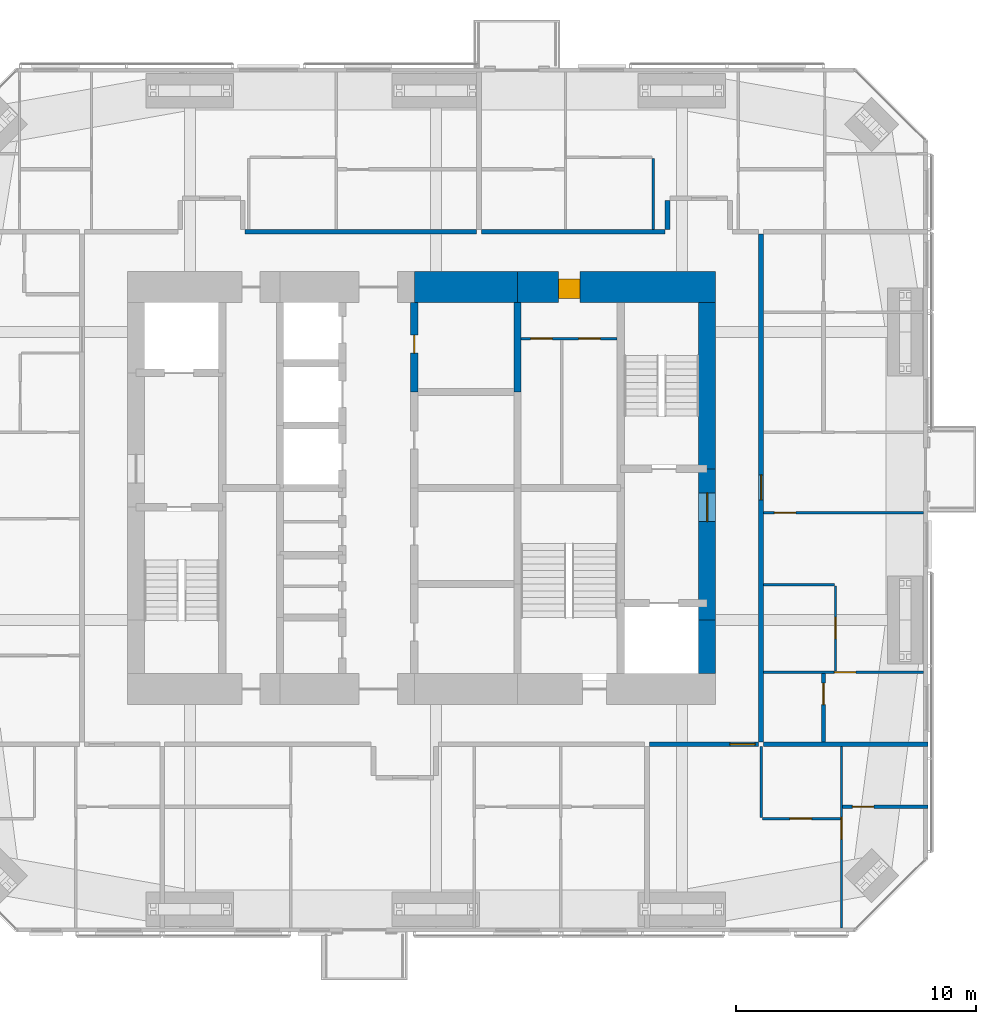
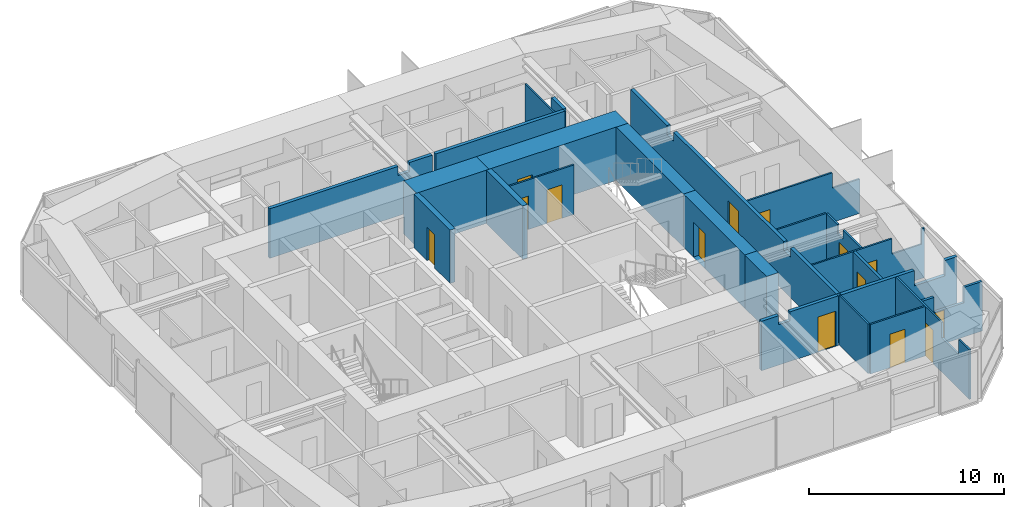
# One storey, part 19 of 23: 24 walls, 14 doors, 14 openings.
"""IFC4 building model written with IfcOpenShell, lengths in metres."""

from ifc_helpers import new_model, si_unit, direction, frame, frame_2d, origin, place, context, subcontext, project, spatial, polyline, rectangle, outline, extrude, material, layer, layer_set, constituent, constituent_set, type_object, element, fill, save


model = new_model("IFC4")

# Units and contexts
model_context = context("Model", 3, precision=1e-05, world=origin(), true_north=direction((0.0, 1.0)))
body_context = subcontext(model_context, "Body", "Model", "MODEL_VIEW")
ifc_project = project(units=[si_unit("LENGTHUNIT", "METRE"), si_unit("AREAUNIT", "SQUARE_METRE"), si_unit("VOLUMEUNIT", "CUBIC_METRE"), si_unit("PLANEANGLEUNIT", "RADIAN"), si_unit("MASSUNIT", "GRAM", prefix="KILO")], contexts=[model_context])

# Site, building, storey
site_placement = place(None, origin())
site = spatial("IfcSite", under=ifc_project, at=site_placement, CompositionType="ELEMENT")
building_placement = place(site_placement, origin())
building = spatial("IfcBuilding", under=site, at=building_placement, Name="Jalousie Tower", CompositionType="ELEMENT")
storey_placement = place(building_placement, frame((0.0, 0.0, 194.550048828125)))
storey = spatial("IfcBuildingStorey", under=building, at=storey_placement, Name="L53", CompositionType="ELEMENT", Elevation=194.550048828125)

# Wall, opening, door
ifc_material_1 = material(Name="Concrete block ASTM C90", Category="concrete")
ifc_constituent_1 = constituent(ifc_material_1, Name="Body")
ifc_material_2 = material(Name="Render")
ifc_constituent_2 = constituent(ifc_material_2, Name="Finish")
ifc_constituent_set_1 = constituent_set(constituents=[ifc_constituent_1, ifc_constituent_2])
wall_type_1 = type_object("IfcWallType", Name="BATHROOM WALL 150", PredefinedType="PLUMBINGWALL", material=ifc_constituent_set_1)
wall_1_placement = place(storey_placement, frame((49.449951171875, 5.22509765625, 0.0), z_axis=(0.0, 0.0, 1.0), x_axis=(1.0, 0.0, 0.0)))
wall_1 = element("IfcWall", 1, at=wall_1_placement, inside=storey, type_object=wall_type_1, Name="Bathroom Wall 150 L53", PredefinedType="PLUMBINGWALL", context=body_context, shape_type="SweptSolid", body=[
    extrude(outline(polyline([(0.0, 0.0), (3.550048828125, 0.0), (3.550048828125, 3.10986328125), (2.4716796875, 3.10986328125), (2.4716796875, 2.14990234375), (0.6865234375, 2.14990234375), (0.6865234375, 3.10986328125), (0.0, 3.10986328125), (0.0, 0.0)])), frame((0.0, 0.074951171875, 0.0), z_axis=(0.0, -1.0, 0.0), x_axis=(1.0, 0.0, 0.0)), (0.0, 0.0, 1.0), 0.14990234375),
])
opening_1_placement = place(wall_1_placement, frame((0.39990234375, 0.0, 0.0)))
opening_1 = element("IfcOpeningElement", 2, at=opening_1_placement, cuts=wall_1, Name="Opening D3", PredefinedType="OPENING", context=body_context, shape_type="SweptSolid", body=[
    extrude(rectangle(XDim=0.89990234375, YDim=2.10009765625, at=frame_2d((0.449951171875, 1.050048828125))), frame((0.0, 0.0849609375, 0.0), z_axis=(0.0, -1.0, 0.0), x_axis=(1.0, 0.0, 0.0)), (0.0, 0.0, 1.0), 0.169921875),
])
ifc_material_3 = material(Name="Timber door", Category="wood")
door_type_1 = type_object("IfcDoorType", Name="BATHROOM DOOR 900", OperationType="SINGLE_SWING_LEFT", PredefinedType="DOOR", material=ifc_material_3)
door_1_placement = place(opening_1_placement, origin())
door_1 = element("IfcDoor", 3, at=door_1_placement, inside=storey, type_object=door_type_1, Name="Apartment 5303 bedroom 1 bathroom door", OperationType="SINGLE_SWING_LEFT", OverallHeight=2.10009765625, OverallWidth=0.89990234375, PredefinedType="DOOR", context=body_context, shape_type="SweptSolid", body=[
    extrude(rectangle(XDim=0.89990234375, YDim=2.10009765625, at=frame_2d((0.449951171875, 1.050048828125))), frame((0.0, 0.02490234375, 0.0), z_axis=(0.0, -1.0, 0.0), x_axis=(1.0, 0.0, 0.0)), (0.0, 0.0, 1.0), 0.050048828125),
])
fill(opening_1, door_1)

wall_2_placement = place(storey_placement, frame((48.64990234375, 7.925048828125, 0.0), z_axis=(0.0, 0.0, 1.0), x_axis=(0.0, 1.0, 0.0)))
wall_2 = element("IfcWall", 4, at=wall_2_placement, inside=storey, type_object=wall_type_1, Name="Bathroom Wall 150 L53", PredefinedType="PLUMBINGWALL", context=body_context, shape_type="SweptSolid", body=[
    extrude(rectangle(XDim=2.849853515625, YDim=0.14990234375, at=frame_2d((1.4248046875, 0.0))), origin(), (0.0, 0.0, 1.0), 3.10986328125),
])
opening_2_placement = place(wall_2_placement, frame((1.550048828125, 0.0, 0.0)))
opening_2 = element("IfcOpeningElement", 5, at=opening_2_placement, cuts=wall_2, Name="Opening D3", PredefinedType="OPENING", context=body_context, shape_type="SweptSolid", body=[
    extrude(rectangle(XDim=0.89990234375, YDim=2.10009765625, at=frame_2d((0.449951171875, 1.050048828125))), frame((0.0, 0.0849609375, 0.0), z_axis=(0.0, -1.0, 0.0), x_axis=(1.0, 0.0, 0.0)), (0.0, 0.0, 1.0), 0.169921875),
])
door_2_placement = place(opening_2_placement, origin())
door_2 = element("IfcDoor", 6, at=door_2_placement, inside=storey, type_object=door_type_1, Name="Apartment 5307 bedroom 1 bathroom door", OperationType="SINGLE_SWING_RIGHT", OverallHeight=2.10009765625, OverallWidth=0.89990234375, PredefinedType="DOOR", context=body_context, shape_type="SweptSolid", body=[
    extrude(rectangle(XDim=0.89990234375, YDim=2.10009765625, at=frame_2d((0.449951171875, 1.050048828125))), frame((0.0, 0.02490234375, 0.0), z_axis=(0.0, -1.0, 0.0), x_axis=(1.0, 0.0, 0.0)), (0.0, 0.0, 1.0), 0.050048828125),
])
fill(opening_2, door_2)

ifc_material_4 = material(Name="Concrete f'c 120 MPa", Category="concrete")
ifc_layer_1 = layer(ifc_material_4, 1.300048828125)
ifc_layer_set_1 = layer_set([ifc_layer_1], Name="Concrete f'c 120 MPa")
wall_type_2 = type_object("IfcWallType", Name="CORE WALL 1300", PredefinedType="SHEAR", material=ifc_layer_set_1)
wall_3_placement = place(storey_placement, frame((44.14990234375, 26.875, 0.0), z_axis=(0.0, 0.0, 1.0), x_axis=(-1.0, 0.0, 0.0)))
wall_3 = element("IfcWall", 7, at=wall_3_placement, inside=storey, type_object=wall_type_2, Name="Core wall NA L53", PredefinedType="SHEAR", context=body_context, shape_type="SweptSolid", body=[
    extrude(rectangle(XDim=8.25, YDim=1.300048828125, at=frame_2d((4.125, 0.0))), origin(), (0.0, 0.0, 1.0), 3.349853515625),
])
opening_3_placement = place(wall_3_placement, frame((5.64990234375, 0.0, 0.0)))
opening_3 = element("IfcOpeningElement", 8, at=opening_3_placement, cuts=wall_3, Name="Opening D25", PredefinedType="OPENING", context=body_context, shape_type="SweptSolid", body=[
    extrude(rectangle(XDim=0.89990234375, YDim=2.10009765625, at=frame_2d((0.449951171875, 1.050048828125))), frame((0.0, 0.659912109375, 0.0), z_axis=(0.0, -1.0, 0.0), x_axis=(1.0, 0.0, 0.0)), (0.0, 0.0, 1.0), 1.320068359375),
])
ifc_material_5 = material(Name="Steel fire door", Category="steel")
door_type_2 = type_object("IfcDoorType", Name="SERVICE LOBBY DOOR 900", OperationType="SINGLE_SWING_LEFT", PredefinedType="DOOR", material=ifc_material_5)
door_3_placement = place(opening_3_placement, origin())
door_3 = element("IfcDoor", 9, at=door_3_placement, inside=storey, type_object=door_type_2, Name="Service lobby door", OperationType="SINGLE_SWING_RIGHT", OverallHeight=2.10009765625, OverallWidth=0.89990234375, PredefinedType="DOOR", context=body_context, shape_type="SweptSolid", body=[
    extrude(rectangle(XDim=0.89990234375, YDim=2.10009765625, at=frame_2d((0.449951171875, 1.050048828125))), frame((0.0, 0.47021484375, 0.0), z_axis=(0.0, -1.0, 0.0), x_axis=(1.0, 0.0, 0.0)), (0.0, 0.0, 1.0), 0.800048828125),
])
fill(opening_3, door_3)

# Wall
wall_4_placement = place(storey_placement, frame((35.89990234375, 26.875, 0.0), z_axis=(0.0, 0.0, 1.0), x_axis=(-1.0, 0.0, 0.0)))
element("IfcWall", 10, at=wall_4_placement, inside=storey, type_object=wall_type_2, Name="Core wall NB L53", PredefinedType="SHEAR", context=body_context, shape_type="SweptSolid", body=[
    extrude(rectangle(XDim=4.2998046875, YDim=1.300048828125, at=frame_2d((2.14990234375, 0.0))), origin(), (0.0, 0.0, 1.0), 3.349853515625),
])

# Wall, opening, door
ifc_material_6 = material(Name="Concrete f'c 120 MPa", Category="concrete")
ifc_layer_2 = layer(ifc_material_6, 0.300048828125)
ifc_layer_set_2 = layer_set([ifc_layer_2], Name="Concrete f'c 120 MPa")
wall_type_3 = type_object("IfcWallType", Name="CORE WALL 300", PredefinedType="SHEAR", material=ifc_layer_set_2)
wall_5_placement = place(storey_placement, frame((31.60009765625, 22.5, 0.0), z_axis=(0.0, 0.0, 1.0), x_axis=(0.0, 1.0, 0.0)))
wall_5 = element("IfcWall", 11, at=wall_5_placement, inside=storey, type_object=wall_type_3, Name="Core wall X31.6D L53", PredefinedType="SHEAR", context=body_context, shape_type="SweptSolid", body=[
    extrude(rectangle(XDim=3.72509765625, YDim=0.300048828125, at=frame_2d((1.862548828125, 0.0))), origin(), (0.0, 0.0, 1.0), 3.349853515625),
])
opening_4_placement = place(wall_5_placement, frame((1.625, 0.0, 0.0)))
opening_4 = element("IfcOpeningElement", 12, at=opening_4_placement, cuts=wall_5, Name="Opening D16", PredefinedType="OPENING", context=body_context, shape_type="SweptSolid", body=[
    extrude(rectangle(XDim=0.75, YDim=2.10009765625, at=frame_2d((0.375, 1.050048828125))), frame((0.0, 0.159912109375, 0.0), z_axis=(0.0, -1.0, 0.0), x_axis=(1.0, 0.0, 0.0)), (0.0, 0.0, 1.0), 0.320068359375),
])
ifc_material_7 = material(Name="Steel fire door", Category="steel")
door_type_3 = type_object("IfcDoorType", Name="RISER DOOR 750", OperationType="SINGLE_SWING_LEFT", PredefinedType="DOOR", material=ifc_material_7)
door_4_placement = place(opening_4_placement, frame((0.75, 0.0, 0.0), z_axis=(0.0, 0.0, 1.0), x_axis=(-1.0, 0.0, 0.0)))
door_4 = element("IfcDoor", 13, at=door_4_placement, inside=storey, type_object=door_type_3, Name="Water Services Room door", OperationType="SINGLE_SWING_LEFT", OverallHeight=2.10009765625, OverallWidth=0.75, PredefinedType="DOOR", context=body_context, shape_type="SweptSolid", body=[
    extrude(rectangle(XDim=0.75, YDim=2.10009765625, at=frame_2d((0.375, 1.050048828125))), frame((0.0, 0.02490234375, 0.0), z_axis=(0.0, -1.0, 0.0), x_axis=(1.0, 0.0, 0.0)), (0.0, 0.0, 1.0), 0.050048828125),
])
fill(opening_4, door_4)

# Walls
wall_6_placement = place(storey_placement, frame((35.89990234375, 22.5, 0.0), z_axis=(0.0, 0.0, 1.0), x_axis=(0.0, 1.0, 0.0)))
element("IfcWall", 14, at=wall_6_placement, inside=storey, type_object=wall_type_3, Name="Core wall X35.9D L53", PredefinedType="SHEAR", context=body_context, shape_type="SweptSolid", body=[
    extrude(rectangle(XDim=3.72509765625, YDim=0.300048828125, at=frame_2d((1.862548828125, 0.0))), origin(), (0.0, 0.0, 1.0), 3.349853515625),
])
ifc_material_8 = material(Name="Concrete f'c 120 MPa", Category="concrete")
ifc_layer_3 = layer(ifc_material_8, 0.699951171875)
ifc_layer_set_3 = layer_set([ifc_layer_3], Name="Concrete f'c 120 MPa")
wall_type_4 = type_object("IfcWallType", Name="CORE WALL 700", PredefinedType="SHEAR", material=ifc_layer_set_3)
wall_7_placement = place(storey_placement, frame((43.800048828125, 10.77490234375, 0.0), z_axis=(0.0, 0.0, 1.0), x_axis=(0.0, 1.0, 0.0)))
element("IfcWall", 15, at=wall_7_placement, inside=storey, type_object=wall_type_4, Name="Core wall EA L53", PredefinedType="SHEAR", context=body_context, shape_type="SweptSolid", body=[
    extrude(rectangle(XDim=2.22509765625, YDim=0.699951171875, at=frame_2d((1.112548828125, 0.0))), origin(), (0.0, 0.0, 1.0), 3.349853515625),
])

# Wall, opening, door
wall_8_placement = place(storey_placement, frame((43.800048828125, 13.0, 0.0), z_axis=(0.0, 0.0, 1.0), x_axis=(0.0, 1.0, 0.0)))
wall_8 = element("IfcWall", 16, at=wall_8_placement, inside=storey, type_object=wall_type_4, Name="Core wall EB L53", PredefinedType="SHEAR", context=body_context, shape_type="SweptSolid", body=[
    extrude(rectangle(XDim=6.300048828125, YDim=0.699951171875, at=frame_2d((3.14990234375, 0.0))), origin(), (0.0, 0.0, 1.0), 3.349853515625),
])
opening_5_placement = place(wall_8_placement, frame((4.10009765625, 0.0, 0.0)))
opening_5 = element("IfcOpeningElement", 17, at=opening_5_placement, cuts=wall_8, Name="Opening D11", PredefinedType="OPENING", context=body_context, shape_type="SweptSolid", body=[
    extrude(rectangle(XDim=1.199951171875, YDim=2.199951171875, at=frame_2d((0.60009765625, 1.10009765625))), frame((0.0, 0.35986328125, 0.0), z_axis=(0.0, -1.0, 0.0), x_axis=(1.0, 0.0, 0.0)), (0.0, 0.0, 1.0), 0.719970703125),
])
ifc_material_9 = material(Name="Steel fire door", Category="steel")
door_type_4 = type_object("IfcDoorType", Name="FIRE DOOR 1200", OperationType="SINGLE_SWING_LEFT", PredefinedType="DOOR", material=ifc_material_9)
door_5_placement = place(opening_5_placement, origin())
door_5 = element("IfcDoor", 18, at=door_5_placement, inside=storey, type_object=door_type_4, Name="Fire-fighting lobby B door", OperationType="SINGLE_SWING_RIGHT", OverallHeight=2.199951171875, OverallWidth=1.199951171875, PredefinedType="DOOR", context=body_context, shape_type="SweptSolid", body=[
    extrude(rectangle(XDim=1.199951171875, YDim=2.199951171875, at=frame_2d((0.60009765625, 1.10009765625))), frame((0.0, 0.02490234375, 0.0), z_axis=(0.0, -1.0, 0.0), x_axis=(1.0, 0.0, 0.0)), (0.0, 0.0, 1.0), 0.050048828125),
])
fill(opening_5, door_5)

# Wall
wall_9_placement = place(storey_placement, frame((43.800048828125, 19.300048828125, 0.0), z_axis=(0.0, 0.0, 1.0), x_axis=(0.0, 1.0, 0.0)))
element("IfcWall", 19, at=wall_9_placement, inside=storey, type_object=wall_type_4, Name="Core wall EC L53", PredefinedType="SHEAR", context=body_context, shape_type="SweptSolid", body=[
    extrude(rectangle(XDim=6.925048828125, YDim=0.699951171875, at=frame_2d((3.46240234375, 0.0))), origin(), (0.0, 0.0, 1.0), 3.349853515625),
])

# Wall, opening, door
ifc_material_10 = material(Name="Concrete block ASTM C90", Category="concrete")
ifc_constituent_3 = constituent(ifc_material_10, Name="Body")
ifc_material_11 = material(Name="Render")
ifc_constituent_4 = constituent(ifc_material_11, Name="Finish")
ifc_constituent_set_2 = constituent_set(constituents=[ifc_constituent_3, ifc_constituent_4])
wall_type_5 = type_object("IfcWallType", Name="CORRIDOR WALL 200", PredefinedType="PARTITIONING", material=ifc_constituent_set_2)
wall_10_placement = place(storey_placement, frame((41.39990234375, 7.824951171875, 0.0), z_axis=(0.0, 0.0, 1.0), x_axis=(1.0, 0.0, 0.0)))
wall_10 = element("IfcWall", 20, at=wall_10_placement, inside=storey, type_object=wall_type_5, Name="Corridor Wall 200 L53", PredefinedType="PARTITIONING", context=body_context, shape_type="SweptSolid", body=[
    extrude(outline(polyline([(0.0, 0.0), (4.550048828125, 0.0), (4.550048828125, 3.10986328125), (1.6875, 3.10986328125), (1.6875, 2.541015625), (1.0126953125, 2.541015625), (1.0126953125, 3.10986328125), (0.0, 3.10986328125), (0.0, 0.0)])), frame((0.0, 0.10009765625, 0.0), z_axis=(0.0, -1.0, 0.0), x_axis=(1.0, 0.0, 0.0)), (0.0, 0.0, 1.0), 0.199951171875),
])
opening_6_placement = place(wall_10_placement, frame((3.35009765625, 0.0, 0.0)))
opening_6 = element("IfcOpeningElement", 21, at=opening_6_placement, cuts=wall_10, Name="Opening D1", PredefinedType="OPENING", context=body_context, shape_type="SweptSolid", body=[
    extrude(rectangle(XDim=1.050048828125, YDim=2.199951171875, at=frame_2d((0.52490234375, 1.10009765625))), frame((0.0, 0.10986328125, 0.0), z_axis=(0.0, -1.0, 0.0), x_axis=(1.0, 0.0, 0.0)), (0.0, 0.0, 1.0), 0.219970703125),
])
ifc_material_12 = material(Name="Timber fire door", Category="wood")
door_type_5 = type_object("IfcDoorType", Name="APARTMENT ENTRANCE DOOR 1050", OperationType="SINGLE_SWING_LEFT", PredefinedType="DOOR", material=ifc_material_12)
door_6_placement = place(opening_6_placement, frame((1.050048828125, 0.0, 0.0), z_axis=(0.0, 0.0, 1.0), x_axis=(-1.0, 0.0, 0.0)))
door_6 = element("IfcDoor", 22, at=door_6_placement, inside=storey, type_object=door_type_5, Name="Apartment 5303 entrance", OperationType="SINGLE_SWING_LEFT", OverallHeight=2.199951171875, OverallWidth=1.050048828125, PredefinedType="DOOR", context=body_context, shape_type="SweptSolid", body=[
    extrude(rectangle(XDim=1.050048828125, YDim=2.199951171875, at=frame_2d((0.52490234375, 1.10009765625))), frame((0.0, 0.02490234375, 0.0), z_axis=(0.0, -1.0, 0.0), x_axis=(1.0, 0.0, 0.0)), (0.0, 0.0, 1.0), 0.050048828125),
])
fill(opening_6, door_6)

# Wall
wall_11_placement = place(storey_placement, frame((34.39990234375, 29.175048828125, 0.0), z_axis=(0.0, 0.0, 1.0), x_axis=(1.0, 0.0, 0.0)))
element("IfcWall", 23, at=wall_11_placement, inside=storey, type_object=wall_type_5, Name="Corridor Wall 200 L53", PredefinedType="PARTITIONING", context=body_context, shape_type="SweptSolid", body=[
    extrude(rectangle(XDim=7.650146484375, YDim=0.199951171875, at=frame_2d((3.8251953125, 0.0))), origin(), (0.0, 0.0, 1.0), 3.10986328125),
])

# Wall, opening, door
wall_12_placement = place(storey_placement, frame((46.050048828125, 7.925048828125, 0.0), z_axis=(0.0, 0.0, 1.0), x_axis=(0.0, 1.0, 0.0)))
wall_12 = element("IfcWall", 24, at=wall_12_placement, inside=storey, type_object=wall_type_5, Name="Corridor Wall 200 L53", PredefinedType="PARTITIONING", context=body_context, shape_type="SweptSolid", body=[
    extrude(outline(polyline([(0.0, 0.0), (21.14990234375, 0.0), (21.14990234375, 3.10986328125), (17.412353515625, 3.10986328125), (17.412353515625, 2.541015625), (16.737548828125, 2.541015625), (16.737548828125, 3.10986328125), (5.412353515625, 3.10986328125), (5.412353515625, 2.541015625), (4.73779296875, 2.541015625), (4.73779296875, 3.10986328125), (0.0, 3.10986328125), (0.0, 0.0)])), frame((0.0, 0.10009765625, 0.0), z_axis=(0.0, -1.0, 0.0), x_axis=(1.0, 0.0, 0.0)), (0.0, 0.0, 1.0), 0.199951171875),
])
opening_7_placement = place(wall_12_placement, frame((10.074951171875, 0.0, 0.0)))
opening_7 = element("IfcOpeningElement", 25, at=opening_7_placement, cuts=wall_12, Name="Opening D1", PredefinedType="OPENING", context=body_context, shape_type="SweptSolid", body=[
    extrude(rectangle(XDim=1.050048828125, YDim=2.199951171875, at=frame_2d((0.52490234375, 1.10009765625))), frame((0.0, 0.10986328125, 0.0), z_axis=(0.0, -1.0, 0.0), x_axis=(1.0, 0.0, 0.0)), (0.0, 0.0, 1.0), 0.219970703125),
])
door_7_placement = place(opening_7_placement, frame((1.050048828125, 0.0, 0.0), z_axis=(0.0, 0.0, 1.0), x_axis=(-1.0, 0.0, 0.0)))
door_7 = element("IfcDoor", 26, at=door_7_placement, inside=storey, type_object=door_type_5, Name="Apartment 5307 entrance", OperationType="SINGLE_SWING_RIGHT", OverallHeight=2.199951171875, OverallWidth=1.050048828125, PredefinedType="DOOR", context=body_context, shape_type="SweptSolid", body=[
    extrude(rectangle(XDim=1.050048828125, YDim=2.199951171875, at=frame_2d((0.52490234375, 1.10009765625))), frame((0.0, 0.02490234375, 0.0), z_axis=(0.0, -1.0, 0.0), x_axis=(1.0, 0.0, 0.0)), (0.0, 0.0, 1.0), 0.050048828125),
])
fill(opening_7, door_7)

# Walls
wall_13_placement = place(storey_placement, frame((24.550048828125, 29.175048828125, 0.0), z_axis=(0.0, 0.0, 1.0), x_axis=(1.0, 0.0, 0.0)))
element("IfcWall", 27, at=wall_13_placement, inside=storey, type_object=wall_type_5, Name="Corridor Wall 200 L53", PredefinedType="PARTITIONING", context=body_context, shape_type="SweptSolid", body=[
    extrude(outline(polyline([(0.0, 0.0), (9.64990234375, 0.0), (9.64990234375, 3.10986328125), (8.287353515625, 3.10986328125), (8.287353515625, 2.541015625), (7.612548828125, 2.541015625), (7.612548828125, 3.10986328125), (0.0, 3.10986328125), (0.0, 0.0)])), frame((0.0, 0.10009765625, 0.0), z_axis=(0.0, -1.0, 0.0), x_axis=(1.0, 0.0, 0.0)), (0.0, 0.0, 1.0), 0.199951171875),
])
wall_14_placement = place(storey_placement, frame((42.14990234375, 29.27490234375, 0.0), z_axis=(0.0, 0.0, 1.0), x_axis=(0.0, 1.0, 0.0)))
element("IfcWall", 28, at=wall_14_placement, inside=storey, type_object=wall_type_5, Name="Corridor Wall 200 L53", PredefinedType="PARTITIONING", context=body_context, shape_type="SweptSolid", body=[
    extrude(rectangle(XDim=1.2001953125, YDim=0.199951171875, at=frame_2d((0.60009765625, 0.0))), origin(), (0.0, 0.0, 1.0), 3.10986328125),
])

# Wall, opening, door
ifc_material_13 = material(Name="Gypsum board", Category="gypsum")
ifc_constituent_5 = constituent(ifc_material_13, Name="Body")
ifc_material_14 = material(Name="Light-gauge steel studs ASTM A653 SS Grade 33", Category="steel")
ifc_constituent_6 = constituent(ifc_material_14, Name="Framing")
ifc_constituent_set_3 = constituent_set(constituents=[ifc_constituent_5, ifc_constituent_6])
wall_type_6 = type_object("IfcWallType", Name="PARTITION 100", PredefinedType="PARTITIONING", material=ifc_constituent_set_3)
wall_15_placement = place(storey_placement, frame((49.39990234375, 0.175048828125, 0.0), z_axis=(0.0, 0.0, 1.0), x_axis=(0.0, 1.0, 0.0)))
wall_15 = element("IfcWall", 29, at=wall_15_placement, inside=storey, type_object=wall_type_6, Name="Partition 100 L53", PredefinedType="PARTITIONING", context=body_context, shape_type="SweptSolid", body=[
    extrude(outline(polyline([(0.0, 0.0), (7.550048828125, 0.0), (7.550048828125, 3.10986328125), (2.825439453125, 3.10986328125), (2.825439453125, 2.14990234375), (1.07861328125, 2.14990234375), (1.07861328125, 3.10986328125), (0.0, 3.10986328125), (0.0, 0.0)])), frame((0.0, 0.050048828125, 0.0), z_axis=(0.0, -1.0, 0.0), x_axis=(1.0, 0.0, 0.0)), (0.0, 0.0, 1.0), 0.10009765625),
])
opening_8_placement = place(wall_15_placement, frame((3.699951171875, 0.0, 0.0)))
opening_8 = element("IfcOpeningElement", 30, at=opening_8_placement, cuts=wall_15, Name="Opening D2", PredefinedType="OPENING", context=body_context, shape_type="SweptSolid", body=[
    extrude(rectangle(XDim=0.89990234375, YDim=2.10009765625, at=frame_2d((0.449951171875, 1.050048828125))), frame((0.0, 0.06005859375, 0.0), z_axis=(0.0, -1.0, 0.0), x_axis=(1.0, 0.0, 0.0)), (0.0, 0.0, 1.0), 0.1201171875),
])
ifc_material_15 = material(Name="Timber door", Category="wood")
door_type_6 = type_object("IfcDoorType", Name="BEDROOM DOOR 900", OperationType="SINGLE_SWING_LEFT", PredefinedType="DOOR", material=ifc_material_15)
door_8_placement = place(opening_8_placement, frame((0.89990234375, 0.0, 0.0), z_axis=(0.0, 0.0, 1.0), x_axis=(-1.0, 0.0, 0.0)))
door_8 = element("IfcDoor", 31, at=door_8_placement, inside=storey, type_object=door_type_6, Name="Apartment 5303 bedroom 1 door", OperationType="SINGLE_SWING_LEFT", OverallHeight=2.10009765625, OverallWidth=0.89990234375, PredefinedType="DOOR", context=body_context, shape_type="SweptSolid", body=[
    extrude(rectangle(XDim=0.89990234375, YDim=2.10009765625, at=frame_2d((0.449951171875, 1.050048828125))), frame((0.0, 0.02490234375, 0.0), z_axis=(0.0, -1.0, 0.0), x_axis=(1.0, 0.0, 0.0)), (0.0, 0.0, 1.0), 0.050048828125),
])
fill(opening_8, door_8)

wall_16_placement = place(storey_placement, frame((46.10009765625, 4.72509765625, 0.0), z_axis=(0.0, 0.0, 1.0), x_axis=(1.0, 0.0, 0.0)))
wall_16 = element("IfcWall", 32, at=wall_16_placement, inside=storey, type_object=wall_type_6, Name="Partition 100 L53", PredefinedType="PARTITIONING", context=body_context, shape_type="SweptSolid", body=[
    extrude(rectangle(XDim=3.25, YDim=0.10009765625, at=frame_2d((1.625, 0.0))), origin(), (0.0, 0.0, 1.0), 3.10986328125),
])
opening_9_placement = place(wall_16_placement, frame((1.14990234375, 0.0, 0.0)))
opening_9 = element("IfcOpeningElement", 33, at=opening_9_placement, cuts=wall_16, Name="Opening D7", PredefinedType="OPENING", context=body_context, shape_type="SweptSolid", body=[
    extrude(rectangle(XDim=0.89990234375, YDim=2.10009765625, at=frame_2d((0.449951171875, 1.050048828125))), frame((0.0, 0.06005859375, 0.0), z_axis=(0.0, -1.0, 0.0), x_axis=(1.0, 0.0, 0.0)), (0.0, 0.0, 1.0), 0.1201171875),
])
ifc_material_16 = material(Name="Timber door", Category="wood")
door_type_7 = type_object("IfcDoorType", Name="INTERNAL DOOR 900", OperationType="SINGLE_SWING_LEFT", PredefinedType="DOOR", material=ifc_material_16)
door_9_placement = place(opening_9_placement, frame((0.89990234375, 0.0, 0.0), z_axis=(0.0, 0.0, 1.0), x_axis=(-1.0, 0.0, 0.0)))
door_9 = element("IfcDoor", 34, at=door_9_placement, inside=storey, type_object=door_type_7, Name="Apartment 5303 kitchen door", OperationType="SINGLE_SWING_LEFT", OverallHeight=2.10009765625, OverallWidth=0.89990234375, PredefinedType="DOOR", context=body_context, shape_type="SweptSolid", body=[
    extrude(rectangle(XDim=0.89990234375, YDim=2.10009765625, at=frame_2d((0.449951171875, 1.050048828125))), frame((0.0, 0.02490234375, 0.0), z_axis=(0.0, -1.0, 0.0), x_axis=(1.0, 0.0, 0.0)), (0.0, 0.0, 1.0), 0.050048828125),
])
fill(opening_9, door_9)

# Walls
for number, where, z_axis, x_axis, name in (
    (35, (46.050048828125, 4.77490234375, 0.0), (0.0, 0.0, 1.0), (0.0, 1.0, 0.0), "Partition 100 L53"),
    (36, (41.550048828125, 32.22509765625, 0.0), (0.0, 0.0, 1.0), (0.0, -1.0, 0.0), "Partition 100 L53"),
):
    element("IfcWall", number, at=place(storey_placement, frame(where, z_axis=z_axis, x_axis=x_axis)), inside=storey, type_object=wall_type_6, Name=name, PredefinedType="PARTITIONING", context=body_context, shape_type="SweptSolid", body=[
        extrude(rectangle(XDim=2.9501953125, YDim=0.10009765625, at=frame_2d((1.47509765625, 0.0))), origin(), (0.0, 0.0, 1.0), 3.10986328125),
    ])

# Wall, opening, door
wall_17_placement = place(storey_placement, frame((52.824951171875, 10.824951171875, 0.0), z_axis=(0.0, 0.0, 1.0), x_axis=(-1.0, 0.0, 0.0)))
wall_17 = element("IfcWall", 37, at=wall_17_placement, inside=storey, type_object=wall_type_6, Name="Partition 100 L53", PredefinedType="PARTITIONING", context=body_context, shape_type="SweptSolid", body=[
    extrude(outline(polyline([(0.0, 0.0), (6.675048828125, 0.0), (6.675048828125, 3.10986328125), (1.927978515625, 3.10986328125), (1.927978515625, 2.14990234375), (0.193115234375, 2.14990234375), (0.193115234375, 3.10986328125), (0.0, 3.10986328125), (0.0, 0.0)])), frame((0.0, 0.050048828125, 0.0), z_axis=(0.0, -1.0, 0.0), x_axis=(1.0, 0.0, 0.0)), (0.0, 0.0, 1.0), 0.10009765625),
])
opening_10_placement = place(wall_17_placement, frame((2.824951171875, 0.0, 0.0)))
opening_10 = element("IfcOpeningElement", 38, at=opening_10_placement, cuts=wall_17, Name="Opening D2", PredefinedType="OPENING", context=body_context, shape_type="SweptSolid", body=[
    extrude(rectangle(XDim=0.89990234375, YDim=2.10009765625, at=frame_2d((0.449951171875, 1.050048828125))), frame((0.0, 0.06005859375, 0.0), z_axis=(0.0, -1.0, 0.0), x_axis=(1.0, 0.0, 0.0)), (0.0, 0.0, 1.0), 0.1201171875),
])
door_10_placement = place(opening_10_placement, origin())
door_10 = element("IfcDoor", 39, at=door_10_placement, inside=storey, type_object=door_type_6, Name="Apartment 5307 bedroom 1 door", OperationType="SINGLE_SWING_RIGHT", OverallHeight=2.10009765625, OverallWidth=0.89990234375, PredefinedType="DOOR", context=body_context, shape_type="SweptSolid", body=[
    extrude(rectangle(XDim=0.89990234375, YDim=2.10009765625, at=frame_2d((0.449951171875, 1.050048828125))), frame((0.0, 0.02490234375, 0.0), z_axis=(0.0, -1.0, 0.0), x_axis=(1.0, 0.0, 0.0)), (0.0, 0.0, 1.0), 0.050048828125),
])
fill(opening_10, door_10)

wall_18_placement = place(storey_placement, frame((52.824951171875, 17.47509765625, 0.0), z_axis=(0.0, 0.0, 1.0), x_axis=(-1.0, 0.0, 0.0)))
wall_18 = element("IfcWall", 40, at=wall_18_placement, inside=storey, type_object=wall_type_6, Name="Partition 100 L53", PredefinedType="PARTITIONING", context=body_context, shape_type="SweptSolid", body=[
    extrude(outline(polyline([(0.0, 0.0), (6.675048828125, 0.0), (6.675048828125, 3.10986328125), (1.635009765625, 3.10986328125), (1.635009765625, 2.14990234375), (0.0, 2.14990234375), (0.0, 3.10986328125), (0.0, 0.0)])), frame((0.0, 0.050048828125, 0.0), z_axis=(0.0, -1.0, 0.0), x_axis=(1.0, 0.0, 0.0)), (0.0, 0.0, 1.0), 0.10009765625),
])
opening_11_placement = place(wall_18_placement, frame((5.324951171875, 0.0, 0.0)))
opening_11 = element("IfcOpeningElement", 41, at=opening_11_placement, cuts=wall_18, Name="Opening D2", PredefinedType="OPENING", context=body_context, shape_type="SweptSolid", body=[
    extrude(rectangle(XDim=0.89990234375, YDim=2.10009765625, at=frame_2d((0.449951171875, 1.050048828125))), frame((0.0, 0.06005859375, 0.0), z_axis=(0.0, -1.0, 0.0), x_axis=(1.0, 0.0, 0.0)), (0.0, 0.0, 1.0), 0.1201171875),
])
door_11_placement = place(opening_11_placement, frame((0.89990234375, 0.0, 0.0), z_axis=(0.0, 0.0, 1.0), x_axis=(-1.0, 0.0, 0.0)))
door_11 = element("IfcDoor", 42, at=door_11_placement, inside=storey, type_object=door_type_6, Name="Apartment 5307 study door", OperationType="SINGLE_SWING_LEFT", OverallHeight=2.10009765625, OverallWidth=0.89990234375, PredefinedType="DOOR", context=body_context, shape_type="SweptSolid", body=[
    extrude(rectangle(XDim=0.89990234375, YDim=2.10009765625, at=frame_2d((0.449951171875, 1.050048828125))), frame((0.0, 0.02490234375, 0.0), z_axis=(0.0, -1.0, 0.0), x_axis=(1.0, 0.0, 0.0)), (0.0, 0.0, 1.0), 0.050048828125),
])
fill(opening_11, door_11)

wall_19_placement = place(storey_placement, frame((49.14990234375, 10.875, 0.0), z_axis=(0.0, 0.0, 1.0), x_axis=(0.0, 1.0, 0.0)))
wall_19 = element("IfcWall", 43, at=wall_19_placement, inside=storey, type_object=wall_type_6, Name="Partition 100 L53", PredefinedType="PARTITIONING", context=body_context, shape_type="SweptSolid", body=[
    extrude(outline(polyline([(0.0, 0.0), (3.550048828125, 0.0), (3.550048828125, 3.10986328125), (2.412353515625, 3.10986328125), (2.412353515625, 2.541015625), (1.837646484375, 2.541015625), (1.837646484375, 3.10986328125), (0.0, 3.10986328125), (0.0, 0.0)])), frame((0.0, 0.050048828125, 0.0), z_axis=(0.0, -1.0, 0.0), x_axis=(1.0, 0.0, 0.0)), (0.0, 0.0, 1.0), 0.10009765625),
])
opening_12_placement = place(wall_19_placement, frame((1.35009765625, 0.0, 0.0)))
opening_12 = element("IfcOpeningElement", 44, at=opening_12_placement, cuts=wall_19, Name="Opening D7", PredefinedType="OPENING", context=body_context, shape_type="SweptSolid", body=[
    extrude(rectangle(XDim=0.89990234375, YDim=2.10009765625, at=frame_2d((0.449951171875, 1.050048828125))), frame((0.0, 0.06005859375, 0.0), z_axis=(0.0, -1.0, 0.0), x_axis=(1.0, 0.0, 0.0)), (0.0, 0.0, 1.0), 0.1201171875),
])
door_12_placement = place(opening_12_placement, origin())
door_12 = element("IfcDoor", 45, at=door_12_placement, inside=storey, type_object=door_type_7, Name="Apartment 5307 kitchen door", OperationType="SINGLE_SWING_RIGHT", OverallHeight=2.10009765625, OverallWidth=0.89990234375, PredefinedType="DOOR", context=body_context, shape_type="SweptSolid", body=[
    extrude(rectangle(XDim=0.89990234375, YDim=2.10009765625, at=frame_2d((0.449951171875, 1.050048828125))), frame((0.0, 0.02490234375, 0.0), z_axis=(0.0, -1.0, 0.0), x_axis=(1.0, 0.0, 0.0)), (0.0, 0.0, 1.0), 0.050048828125),
])
fill(opening_12, door_12)

# Wall
wall_20_placement = place(storey_placement, frame((49.10009765625, 14.47509765625, 0.0), z_axis=(0.0, 0.0, 1.0), x_axis=(-1.0, 0.0, 0.0)))
element("IfcWall", 46, at=wall_20_placement, inside=storey, type_object=wall_type_6, Name="Partition 100 L53", PredefinedType="PARTITIONING", context=body_context, shape_type="SweptSolid", body=[
    extrude(rectangle(XDim=2.9501953125, YDim=0.10009765625, at=frame_2d((1.47509765625, 0.0))), origin(), (0.0, 0.0, 1.0), 3.10986328125),
])

# Wall, openings, doors
wall_21_placement = place(storey_placement, frame((36.050048828125, 24.72509765625, 0.0), z_axis=(0.0, 0.0, 1.0), x_axis=(1.0, 0.0, 0.0)))
wall_21 = element("IfcWall", 47, at=wall_21_placement, inside=storey, type_object=wall_type_6, Name="Partition 100 L53", PredefinedType="PARTITIONING", context=body_context, shape_type="SweptSolid", body=[
    extrude(rectangle(XDim=4.0, YDim=0.10009765625, at=frame_2d((2.0, 0.0))), origin(), (0.0, 0.0, 1.0), 3.10986328125),
])
opening_13_placement = place(wall_21_placement, frame((0.39990234375, 0.0, 0.0)))
opening_13 = element("IfcOpeningElement", 48, at=opening_13_placement, cuts=wall_21, Name="Opening D7", PredefinedType="OPENING", context=body_context, shape_type="SweptSolid", body=[
    extrude(rectangle(XDim=0.89990234375, YDim=2.10009765625, at=frame_2d((0.449951171875, 1.050048828125))), frame((0.0, 0.06005859375, 0.0), z_axis=(0.0, -1.0, 0.0), x_axis=(1.0, 0.0, 0.0)), (0.0, 0.0, 1.0), 0.1201171875),
])
opening_14_placement = place(wall_21_placement, frame((2.39990234375, 0.0, 0.0)))
opening_14 = element("IfcOpeningElement", 49, at=opening_14_placement, cuts=wall_21, Name="Opening D7", PredefinedType="OPENING", context=body_context, shape_type="SweptSolid", body=[
    extrude(rectangle(XDim=0.89990234375, YDim=2.10009765625, at=frame_2d((0.449951171875, 1.050048828125))), frame((0.0, 0.06005859375, 0.0), z_axis=(0.0, -1.0, 0.0), x_axis=(1.0, 0.0, 0.0)), (0.0, 0.0, 1.0), 0.1201171875),
])
door_13_placement = place(opening_13_placement, frame((0.89990234375, 0.0, 0.0), z_axis=(0.0, 0.0, 1.0), x_axis=(-1.0, 0.0, 0.0)))
door_13 = element("IfcDoor", 50, at=door_13_placement, inside=storey, type_object=door_type_7, Name="Staff WC door", OperationType="SINGLE_SWING_LEFT", OverallHeight=2.10009765625, OverallWidth=0.89990234375, PredefinedType="DOOR", context=body_context, shape_type="SweptSolid", body=[
    extrude(rectangle(XDim=0.89990234375, YDim=2.10009765625, at=frame_2d((0.449951171875, 1.050048828125))), frame((0.0, 0.02490234375, 0.0), z_axis=(0.0, -1.0, 0.0), x_axis=(1.0, 0.0, 0.0)), (0.0, 0.0, 1.0), 0.050048828125),
])
fill(opening_13, door_13)
door_14_placement = place(opening_14_placement, frame((0.89990234375, 0.0, 0.0), z_axis=(0.0, 0.0, 1.0), x_axis=(-1.0, 0.0, 0.0)))
door_14 = element("IfcDoor", 51, at=door_14_placement, inside=storey, type_object=door_type_7, Name="Pantry door", OperationType="SINGLE_SWING_RIGHT", OverallHeight=2.10009765625, OverallWidth=0.89990234375, PredefinedType="DOOR", context=body_context, shape_type="SweptSolid", body=[
    extrude(rectangle(XDim=0.89990234375, YDim=2.10009765625, at=frame_2d((0.449951171875, 1.050048828125))), frame((0.0, 0.02490234375, 0.0), z_axis=(0.0, -1.0, 0.0), x_axis=(1.0, 0.0, 0.0)), (0.0, 0.0, 1.0), 0.050048828125),
])
fill(opening_14, door_14)

# Wall
ifc_material_17 = material(Name="Concrete block ASTM C90", Category="concrete")
ifc_constituent_7 = constituent(ifc_material_17, Name="Body")
ifc_material_18 = material(Name="Render")
ifc_constituent_8 = constituent(ifc_material_18, Name="Finish")
ifc_constituent_set_4 = constituent_set(constituents=[ifc_constituent_7, ifc_constituent_8])
wall_type_7 = type_object("IfcWallType", Name="PARTY WALL 200", PredefinedType="PARTITIONING", material=ifc_constituent_set_4)
wall_22_placement = place(storey_placement, frame((46.14990234375, 7.824951171875, 0.0), z_axis=(0.0, 0.0, 1.0), x_axis=(1.0, 0.0, 0.0)))
element("IfcWall", 52, at=wall_22_placement, inside=storey, type_object=wall_type_7, Name="Party Wall 200 L53", PredefinedType="PARTITIONING", context=body_context, shape_type="SweptSolid", body=[
    extrude(outline(polyline([(0.0, 0.0), (6.85009765625, 0.0), (6.85009765625, 3.10986328125), (6.138427734375, 3.10986328125), (6.138427734375, 2.14990234375), (4.302734375, 2.14990234375), (4.302734375, 3.10986328125), (0.0, 3.10986328125), (0.0, 0.0)])), frame((0.0, 0.10009765625, 0.0), z_axis=(0.0, -1.0, 0.0), x_axis=(1.0, 0.0, 0.0)), (0.0, 0.0, 1.0), 0.199951171875),
])

save(model, "model.ifc")
